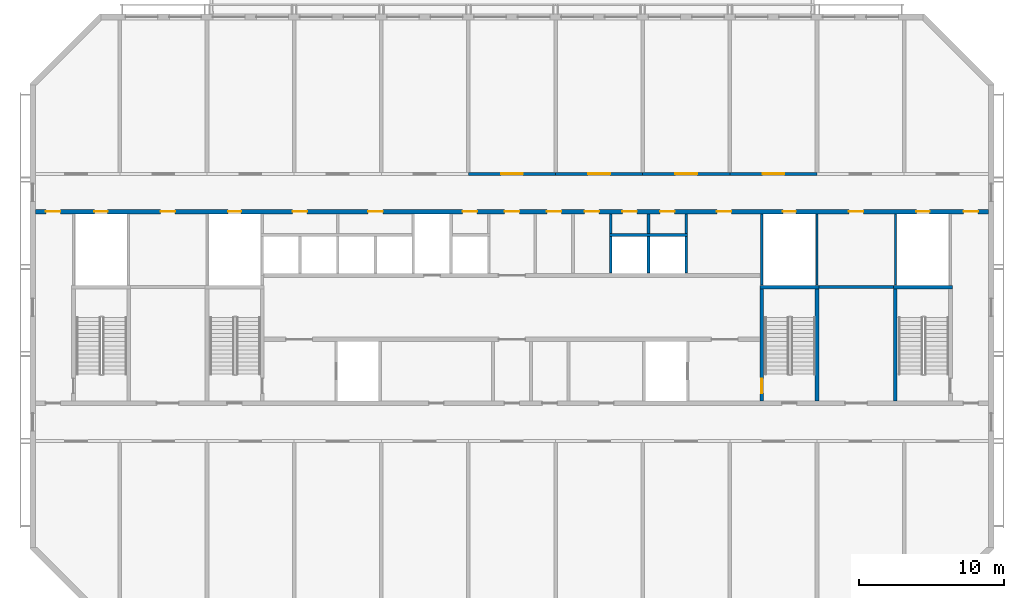
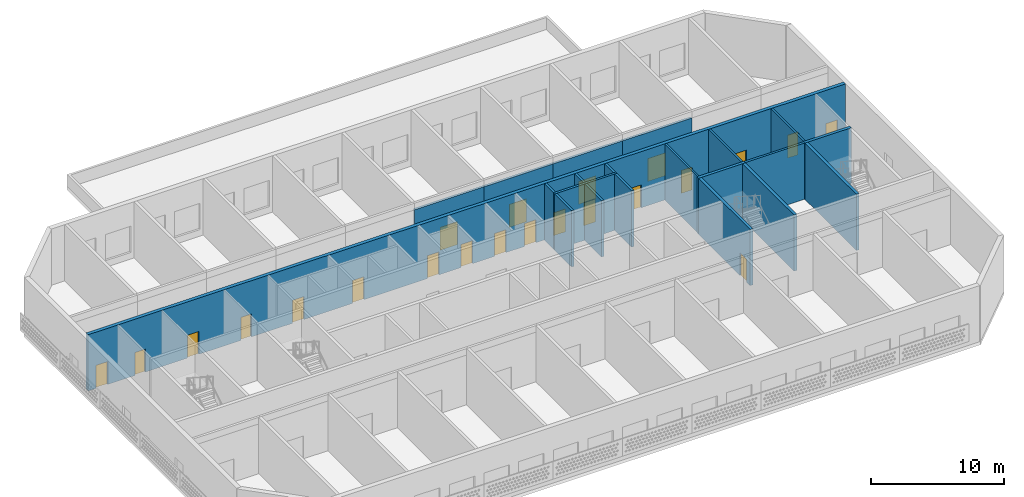
# One storey, part 5 of 18: 22 doors, 21 walls, 22 openings.
"""IFC4 building model written with IfcOpenShell, lengths in metres."""

from ifc_helpers import new_model, si_unit, direction, frame, frame_2d, origin, place, context, subcontext, project, spatial, rectangle, extrude, material, layer, layer_set, type_object, element, fill, save


model = new_model("IFC4")

# Units and contexts
model_context = context("Model", 3, precision=1e-05, world=origin(), true_north=direction((0.0, 1.0)))
body_context = subcontext(model_context, "Body", "Model", "MODEL_VIEW")
ifc_project = project(units=[si_unit("LENGTHUNIT", "METRE"), si_unit("AREAUNIT", "SQUARE_METRE"), si_unit("VOLUMEUNIT", "CUBIC_METRE"), si_unit("PLANEANGLEUNIT", "RADIAN"), si_unit("MASSUNIT", "GRAM", prefix="KILO")], contexts=[model_context])

# Site, building, storey
site_placement = place(None, origin())
site = spatial("IfcSite", under=ifc_project, at=site_placement, CompositionType="ELEMENT")
building_placement = place(site_placement, origin())
building = spatial("IfcBuilding", under=site, at=building_placement, Name="Poui Terraces", CompositionType="ELEMENT")
storey_placement = place(building_placement, frame((0.0, 0.0, 267.0)))
storey = spatial("IfcBuildingStorey", under=building, at=storey_placement, Name="L74", CompositionType="ELEMENT", Elevation=267.0)

# Wall, opening, door
ifc_material_1 = material(Name="Concrete 50 MPa", Category="concrete")
ifc_layer_1 = layer(ifc_material_1, 0.199951171875)
ifc_layer_set_1 = layer_set([ifc_layer_1], Name="Concrete 50 MPa")
wall_type_1 = type_object("IfcWallType", Name="CORRIDOR WALL 200 50MPa", PredefinedType="SHEAR", material=ifc_layer_set_1)
wall_1_placement = place(storey_placement, frame((48.0, 30.39990234375, 0.0), z_axis=(0.0, 0.0, 1.0), x_axis=(1.0, 0.0, 0.0)))
wall_1 = element("IfcWall", 1, at=wall_1_placement, inside=storey, type_object=wall_type_1, Name="CORRIDOR WALL LINE E BAY 6", PredefinedType="SHEAR", context=body_context, shape_type="SweptSolid", body=[
    extrude(rectangle(XDim=6.0, YDim=0.199951171875, at=frame_2d((3.0, 0.0))), origin(), (0.0, 0.0, 1.0), 4.550048828125),
])
opening_1_placement = place(wall_1_placement, frame((2.25, 0.0, 0.0)))
opening_1 = element("IfcOpeningElement", 2, at=opening_1_placement, cuts=wall_1, Name="Opening FDP", PredefinedType="OPENING", context=body_context, shape_type="SweptSolid", body=[
    extrude(rectangle(XDim=1.5, YDim=2.10009765625, at=frame_2d((0.75, 1.050048828125))), frame((0.0, 0.10986328125, 0.0), z_axis=(0.0, -1.0, 0.0), x_axis=(1.0, 0.0, 0.0)), (0.0, 0.0, 1.0), 0.219970703125),
])
ifc_material_2 = material(Name="Steel fire door", Category="steel")
door_type_1 = type_object("IfcDoorType", Name="PLANT ROOM DOOR PAIR 1500 X 2100", OperationType="DOUBLE_DOOR_SINGLE_SWING", PredefinedType="DOOR", material=ifc_material_2)
door_1_placement = place(opening_1_placement, frame((1.5, 0.0, 0.0), z_axis=(0.0, 0.0, 1.0), x_axis=(-1.0, 0.0, 0.0)))
door_1 = element("IfcDoor", 3, at=door_1_placement, inside=storey, type_object=door_type_1, Name="PLANT ROOM DOOR PAIR 014", OperationType="DOUBLE_DOOR_SINGLE_SWING", OverallHeight=2.10009765625, OverallWidth=1.5, PredefinedType="DOOR", context=body_context, shape_type="SweptSolid", body=[
    extrude(rectangle(XDim=1.5, YDim=2.10009765625, at=frame_2d((0.75, 1.050048828125))), frame((0.0, 0.02490234375, 0.0), z_axis=(0.0, -1.0, 0.0), x_axis=(1.0, 0.0, 0.0)), (0.0, 0.0, 1.0), 0.050048828125),
])
fill(opening_1, door_1)

wall_2_placement = place(storey_placement, frame((54.0, 30.39990234375, 0.0), z_axis=(0.0, 0.0, 1.0), x_axis=(1.0, 0.0, 0.0)))
wall_2 = element("IfcWall", 4, at=wall_2_placement, inside=storey, type_object=wall_type_1, Name="CORRIDOR WALL LINE E BAY 7", PredefinedType="SHEAR", context=body_context, shape_type="SweptSolid", body=[
    extrude(rectangle(XDim=6.0, YDim=0.199951171875, at=frame_2d((3.0, 0.0))), origin(), (0.0, 0.0, 1.0), 4.550048828125),
])
opening_2_placement = place(wall_2_placement, frame((2.25, 0.0, 0.0)))
opening_2 = element("IfcOpeningElement", 5, at=opening_2_placement, cuts=wall_2, Name="Opening FDP", PredefinedType="OPENING", context=body_context, shape_type="SweptSolid", body=[
    extrude(rectangle(XDim=1.5, YDim=2.10009765625, at=frame_2d((0.75, 1.050048828125))), frame((0.0, 0.10986328125, 0.0), z_axis=(0.0, -1.0, 0.0), x_axis=(1.0, 0.0, 0.0)), (0.0, 0.0, 1.0), 0.219970703125),
])
door_2_placement = place(opening_2_placement, frame((1.5, 0.0, 0.0), z_axis=(0.0, 0.0, 1.0), x_axis=(-1.0, 0.0, 0.0)))
door_2 = element("IfcDoor", 6, at=door_2_placement, inside=storey, type_object=door_type_1, Name="PLANT ROOM DOOR PAIR 017", OperationType="DOUBLE_DOOR_SINGLE_SWING", OverallHeight=2.10009765625, OverallWidth=1.5, PredefinedType="DOOR", context=body_context, shape_type="SweptSolid", body=[
    extrude(rectangle(XDim=1.5, YDim=2.10009765625, at=frame_2d((0.75, 1.050048828125))), frame((0.0, 0.02490234375, 0.0), z_axis=(0.0, -1.0, 0.0), x_axis=(1.0, 0.0, 0.0)), (0.0, 0.0, 1.0), 0.050048828125),
])
fill(opening_2, door_2)

wall_3_placement = place(storey_placement, frame((60.0, 30.39990234375, 0.0), z_axis=(0.0, 0.0, 1.0), x_axis=(1.0, 0.0, 0.0)))
wall_3 = element("IfcWall", 7, at=wall_3_placement, inside=storey, type_object=wall_type_1, Name="CORRIDOR WALL LINE E BAY 8", PredefinedType="SHEAR", context=body_context, shape_type="SweptSolid", body=[
    extrude(rectangle(XDim=6.0, YDim=0.199951171875, at=frame_2d((3.0, 0.0))), origin(), (0.0, 0.0, 1.0), 4.550048828125),
])
opening_3_placement = place(wall_3_placement, frame((2.25, 0.0, 0.0)))
opening_3 = element("IfcOpeningElement", 8, at=opening_3_placement, cuts=wall_3, Name="Opening FDP", PredefinedType="OPENING", context=body_context, shape_type="SweptSolid", body=[
    extrude(rectangle(XDim=1.5, YDim=2.10009765625, at=frame_2d((0.75, 1.050048828125))), frame((0.0, 0.10986328125, 0.0), z_axis=(0.0, -1.0, 0.0), x_axis=(1.0, 0.0, 0.0)), (0.0, 0.0, 1.0), 0.219970703125),
])
door_3_placement = place(opening_3_placement, frame((1.5, 0.0, 0.0), z_axis=(0.0, 0.0, 1.0), x_axis=(-1.0, 0.0, 0.0)))
door_3 = element("IfcDoor", 9, at=door_3_placement, inside=storey, type_object=door_type_1, Name="PLANT ROOM DOOR PAIR 020", OperationType="DOUBLE_DOOR_SINGLE_SWING", OverallHeight=2.10009765625, OverallWidth=1.5, PredefinedType="DOOR", context=body_context, shape_type="SweptSolid", body=[
    extrude(rectangle(XDim=1.5, YDim=2.10009765625, at=frame_2d((0.75, 1.050048828125))), frame((0.0, 0.02490234375, 0.0), z_axis=(0.0, -1.0, 0.0), x_axis=(1.0, 0.0, 0.0)), (0.0, 0.0, 1.0), 0.050048828125),
])
fill(opening_3, door_3)

wall_4_placement = place(storey_placement, frame((66.0, 30.39990234375, 0.0), z_axis=(0.0, 0.0, 1.0), x_axis=(1.0, 0.0, 0.0)))
wall_4 = element("IfcWall", 10, at=wall_4_placement, inside=storey, type_object=wall_type_1, Name="CORRIDOR WALL LINE E BAY 9", PredefinedType="SHEAR", context=body_context, shape_type="SweptSolid", body=[
    extrude(rectangle(XDim=6.0, YDim=0.199951171875, at=frame_2d((3.0, 0.0))), origin(), (0.0, 0.0, 1.0), 4.550048828125),
])
opening_4_placement = place(wall_4_placement, frame((2.25, 0.0, 0.0)))
opening_4 = element("IfcOpeningElement", 11, at=opening_4_placement, cuts=wall_4, Name="Opening FDP", PredefinedType="OPENING", context=body_context, shape_type="SweptSolid", body=[
    extrude(rectangle(XDim=1.5, YDim=2.10009765625, at=frame_2d((0.75, 1.050048828125))), frame((0.0, 0.10986328125, 0.0), z_axis=(0.0, -1.0, 0.0), x_axis=(1.0, 0.0, 0.0)), (0.0, 0.0, 1.0), 0.219970703125),
])
door_4_placement = place(opening_4_placement, frame((1.5, 0.0, 0.0), z_axis=(0.0, 0.0, 1.0), x_axis=(-1.0, 0.0, 0.0)))
door_4 = element("IfcDoor", 12, at=door_4_placement, inside=storey, type_object=door_type_1, Name="PLANT ROOM DOOR PAIR 022", OperationType="DOUBLE_DOOR_SINGLE_SWING", OverallHeight=2.10009765625, OverallWidth=1.5, PredefinedType="DOOR", context=body_context, shape_type="SweptSolid", body=[
    extrude(rectangle(XDim=1.5, YDim=2.10009765625, at=frame_2d((0.75, 1.050048828125))), frame((0.0, 0.02490234375, 0.0), z_axis=(0.0, -1.0, 0.0), x_axis=(1.0, 0.0, 0.0)), (0.0, 0.0, 1.0), 0.050048828125),
])
fill(opening_4, door_4)

# Walls
ifc_material_3 = material(Name="Fire-rated masonry wall", Category="masonry")
ifc_layer_2 = layer(ifc_material_3, 0.199951171875)
ifc_layer_set_2 = layer_set([ifc_layer_2], Name="Fire-rated masonry wall")
wall_type_2 = type_object("IfcWallType", Name="PLANT ROOM WALL 200", PredefinedType="PARTITIONING", material=ifc_layer_set_2)
wall_5_placement = place(storey_placement, frame((72.135009765625, 22.60009765625, 0.0), z_axis=(0.0, 0.0, 1.0), x_axis=(1.0, 0.0, 0.0)))
element("IfcWall", 13, at=wall_5_placement, inside=storey, type_object=wall_type_2, Name="PLANT ROOM WALL 200", PredefinedType="PARTITIONING", context=body_context, shape_type="SweptSolid", body=[
    extrude(rectangle(XDim=5.1298828125, YDim=0.199951171875, at=frame_2d((2.56494140625, 0.0))), origin(), (0.0, 0.0, 1.0), 5.14990234375),
])
for number, where, z_axis, x_axis, name in (
    (14, (57.800048828125, 26.300048828125, 0.0), (0.0, 0.0, 1.0), (0.0, 1.0, 0.0), "PLANT ROOM WALL 200"),
    (15, (60.39990234375, 26.300048828125, 0.0), (0.0, 0.0, 1.0), (0.0, 1.0, 0.0), "PLANT ROOM WALL 200"),
    (16, (63.0, 26.300048828125, 0.0), (0.0, 0.0, 1.0), (0.0, 1.0, 0.0), "PLANT ROOM WALL 200"),
):
    element("IfcWall", number, at=place(storey_placement, frame(where, z_axis=z_axis, x_axis=x_axis)), inside=storey, type_object=wall_type_2, Name=name, PredefinedType="PARTITIONING", context=body_context, shape_type="SweptSolid", body=[
        extrude(rectangle(XDim=1.33984375, YDim=0.199951171875, at=frame_2d((0.669921875, 0.0))), origin(), (0.0, 0.0, 1.0), 5.14990234375),
    ])
ifc_material_4 = material(Name="Fire-rated plasterboard riser wall")
ifc_layer_3 = layer(ifc_material_4, 0.14990234375)
ifc_layer_set_3 = layer_set([ifc_layer_3], Name="Fire-rated plasterboard riser wall")
wall_type_3 = type_object("IfcWallType", Name="RISER WALL 150", PredefinedType="PARTITIONING", material=ifc_layer_set_3)
for number, where, z_axis, x_axis, name in (
    (17, (68.199951171875, 22.735107421875, 0.0), (0.0, 0.0, 1.0), (0.0, 1.0, 0.0), "RISER WALL 150"),
    (18, (72.0, 22.735107421875, 0.0), (0.0, 0.0, 1.0), (0.0, 1.0, 0.0), "RISER WALL 150"),
    (19, (77.39990234375, 22.735107421875, 0.0), (0.0, 0.0, 1.0), (0.0, 1.0, 0.0), "RISER WALL 150"),
):
    element("IfcWall", number, at=place(storey_placement, frame(where, z_axis=z_axis, x_axis=x_axis)), inside=storey, type_object=wall_type_3, Name=name, PredefinedType="PARTITIONING", context=body_context, shape_type="SweptSolid", body=[
        extrude(rectangle(XDim=4.90478515625, YDim=0.14990234375, at=frame_2d((2.452392578125, 0.0))), origin(), (0.0, 0.0, 1.0), 5.14990234375),
    ])
ifc_material_5 = material(Name="Fire-rated masonry shaft wall", Category="masonry")
ifc_layer_4 = layer(ifc_material_5, 0.199951171875)
ifc_layer_set_4 = layer_set([ifc_layer_4], Name="Fire-rated masonry shaft wall")
wall_type_4 = type_object("IfcWallType", Name="SHAFT WALL 200", PredefinedType="PARTITIONING", material=ifc_layer_set_4)
wall_6_placement = place(storey_placement, frame((57.699951171875, 26.199951171875, 0.0), z_axis=(0.0, 0.0, 1.0), x_axis=(1.0, 0.0, 0.0)))
element("IfcWall", 20, at=wall_6_placement, inside=storey, type_object=wall_type_4, Name="SHAFT WALL 200", PredefinedType="PARTITIONING", context=body_context, shape_type="SweptSolid", body=[
    extrude(rectangle(XDim=5.400146484375, YDim=0.199951171875, at=frame_2d((2.7001953125, 0.0))), origin(), (0.0, 0.0, 1.0), 5.14990234375),
])
for number, where, z_axis, x_axis, name in (
    (21, (57.800048828125, 23.56005859375, 0.0), (0.0, 0.0, 1.0), (0.0, 1.0, 0.0), "SHAFT WALL 200"),
    (22, (60.39990234375, 23.56005859375, 0.0), (0.0, 0.0, 1.0), (0.0, 1.0, 0.0), "SHAFT WALL 200"),
    (23, (63.0, 23.56005859375, 0.0), (0.0, 0.0, 1.0), (0.0, 1.0, 0.0), "SHAFT WALL 200"),
):
    element("IfcWall", number, at=place(storey_placement, frame(where, z_axis=z_axis, x_axis=x_axis)), inside=storey, type_object=wall_type_4, Name=name, PredefinedType="PARTITIONING", context=body_context, shape_type="SweptSolid", body=[
        extrude(rectangle(XDim=2.5400390625, YDim=0.199951171875, at=frame_2d((1.27001953125, 0.0))), origin(), (0.0, 0.0, 1.0), 5.14990234375),
    ])

# Wall, openings, doors
ifc_layer_5 = layer(ifc_material_1, 0.300048828125)
ifc_layer_set_5 = layer_set([ifc_layer_5], Name="Concrete 50 MPa")
wall_type_5 = type_object("IfcWallType", Name="SPINE WALL 300 50 MPA", PredefinedType="SOLIDWALL", material=ifc_layer_set_5)
wall_7_placement = place(storey_placement, frame((18.199951171875, 27.800048828125, 0.0), z_axis=(0.0, 0.0, 1.0), x_axis=(1.0, 0.0, 0.0)))
wall_7 = element("IfcWall", 24, at=wall_7_placement, inside=storey, type_object=wall_type_5, Name="SPINE WALL", PredefinedType="SOLIDWALL", context=body_context, shape_type="SweptSolid", body=[
    extrude(rectangle(XDim=65.60009765625, YDim=0.300048828125, at=frame_2d((32.800048828125, 0.0))), origin(), (0.0, 0.0, 1.0), 5.14990234375),
])
opening_5_placement = place(wall_7_placement, frame((0.699951171875, 0.0, 0.0)))
opening_5 = element("IfcOpeningElement", 25, at=opening_5_placement, cuts=wall_7, Name="Opening FDL", PredefinedType="OPENING", context=body_context, shape_type="SweptSolid", body=[
    extrude(rectangle(XDim=1.0, YDim=2.10009765625, at=frame_2d((0.5, 1.050048828125))), frame((0.0, 0.16015625, 0.0), z_axis=(0.0, -1.0, 0.0), x_axis=(1.0, 0.0, 0.0)), (0.0, 0.0, 1.0), 0.320068359375),
])
opening_6_placement = place(wall_7_placement, frame((4.050048828125, 0.0, 0.0)))
opening_6 = element("IfcOpeningElement", 26, at=opening_6_placement, cuts=wall_7, Name="Opening FDR", PredefinedType="OPENING", context=body_context, shape_type="SweptSolid", body=[
    extrude(rectangle(XDim=0.89990234375, YDim=2.10009765625, at=frame_2d((0.449951171875, 1.050048828125))), frame((0.0, 0.16015625, 0.0), z_axis=(0.0, -1.0, 0.0), x_axis=(1.0, 0.0, 0.0)), (0.0, 0.0, 1.0), 0.320068359375),
])
opening_7_placement = place(wall_7_placement, frame((8.60009765625, 0.0, 0.0)))
opening_7 = element("IfcOpeningElement", 27, at=opening_7_placement, cuts=wall_7, Name="Opening FD60", PredefinedType="OPENING", context=body_context, shape_type="SweptSolid", body=[
    extrude(rectangle(XDim=1.0, YDim=2.10009765625, at=frame_2d((0.5, 1.050048828125))), frame((0.0, 0.16015625, 0.0), z_axis=(0.0, -1.0, 0.0), x_axis=(1.0, 0.0, 0.0)), (0.0, 0.0, 1.0), 0.320068359375),
])
opening_8_placement = place(wall_7_placement, frame((13.25, 0.0, 0.0)))
opening_8 = element("IfcOpeningElement", 28, at=opening_8_placement, cuts=wall_7, Name="Opening FDR", PredefinedType="OPENING", context=body_context, shape_type="SweptSolid", body=[
    extrude(rectangle(XDim=0.89990234375, YDim=2.10009765625, at=frame_2d((0.449951171875, 1.050048828125))), frame((0.0, 0.16015625, 0.0), z_axis=(0.0, -1.0, 0.0), x_axis=(1.0, 0.0, 0.0)), (0.0, 0.0, 1.0), 0.320068359375),
])
opening_9_placement = place(wall_7_placement, frame((17.699951171875, 0.0, 0.0)))
opening_9 = element("IfcOpeningElement", 29, at=opening_9_placement, cuts=wall_7, Name="Opening FD60", PredefinedType="OPENING", context=body_context, shape_type="SweptSolid", body=[
    extrude(rectangle(XDim=1.0, YDim=2.10009765625, at=frame_2d((0.5, 1.050048828125))), frame((0.0, 0.16015625, 0.0), z_axis=(0.0, -1.0, 0.0), x_axis=(1.0, 0.0, 0.0)), (0.0, 0.0, 1.0), 0.320068359375),
])
opening_10_placement = place(wall_7_placement, frame((22.89990234375, 0.0, 0.0)))
opening_10 = element("IfcOpeningElement", 30, at=opening_10_placement, cuts=wall_7, Name="Opening FD60", PredefinedType="OPENING", context=body_context, shape_type="SweptSolid", body=[
    extrude(rectangle(XDim=1.0, YDim=2.10009765625, at=frame_2d((0.5, 1.050048828125))), frame((0.0, 0.16015625, 0.0), z_axis=(0.0, -1.0, 0.0), x_axis=(1.0, 0.0, 0.0)), (0.0, 0.0, 1.0), 0.320068359375),
])
opening_11_placement = place(wall_7_placement, frame((29.39990234375, 0.0, 0.0)))
opening_11 = element("IfcOpeningElement", 31, at=opening_11_placement, cuts=wall_7, Name="Opening FD60", PredefinedType="OPENING", context=body_context, shape_type="SweptSolid", body=[
    extrude(rectangle(XDim=1.0, YDim=2.10009765625, at=frame_2d((0.5, 1.050048828125))), frame((0.0, 0.16015625, 0.0), z_axis=(0.0, -1.0, 0.0), x_axis=(1.0, 0.0, 0.0)), (0.0, 0.0, 1.0), 0.320068359375),
])
opening_12_placement = place(wall_7_placement, frame((32.300048828125, 0.0, 0.0)))
opening_12 = element("IfcOpeningElement", 32, at=opening_12_placement, cuts=wall_7, Name="Opening FDL", PredefinedType="OPENING", context=body_context, shape_type="SweptSolid", body=[
    extrude(rectangle(XDim=1.0, YDim=2.10009765625, at=frame_2d((0.5, 1.050048828125))), frame((0.0, 0.16015625, 0.0), z_axis=(0.0, -1.0, 0.0), x_axis=(1.0, 0.0, 0.0)), (0.0, 0.0, 1.0), 0.320068359375),
])
opening_13_placement = place(wall_7_placement, frame((35.199951171875, 0.0, 0.0)))
opening_13 = element("IfcOpeningElement", 33, at=opening_13_placement, cuts=wall_7, Name="Opening FD60", PredefinedType="OPENING", context=body_context, shape_type="SweptSolid", body=[
    extrude(rectangle(XDim=1.0, YDim=2.10009765625, at=frame_2d((0.5, 1.050048828125))), frame((0.0, 0.16015625, 0.0), z_axis=(0.0, -1.0, 0.0), x_axis=(1.0, 0.0, 0.0)), (0.0, 0.0, 1.0), 0.320068359375),
])
opening_14_placement = place(wall_7_placement, frame((37.800048828125, 0.0, 0.0)))
opening_14 = element("IfcOpeningElement", 34, at=opening_14_placement, cuts=wall_7, Name="Opening FD60", PredefinedType="OPENING", context=body_context, shape_type="SweptSolid", body=[
    extrude(rectangle(XDim=1.0, YDim=2.10009765625, at=frame_2d((0.5, 1.050048828125))), frame((0.0, 0.16015625, 0.0), z_axis=(0.0, -1.0, 0.0), x_axis=(1.0, 0.0, 0.0)), (0.0, 0.0, 1.0), 0.320068359375),
])
opening_15_placement = place(wall_7_placement, frame((40.39990234375, 0.0, 0.0)))
opening_15 = element("IfcOpeningElement", 35, at=opening_15_placement, cuts=wall_7, Name="Opening FD60", PredefinedType="OPENING", context=body_context, shape_type="SweptSolid", body=[
    extrude(rectangle(XDim=1.0, YDim=2.10009765625, at=frame_2d((0.5, 1.050048828125))), frame((0.0, 0.16015625, 0.0), z_axis=(0.0, -1.0, 0.0), x_axis=(1.0, 0.0, 0.0)), (0.0, 0.0, 1.0), 0.320068359375),
])
opening_16_placement = place(wall_7_placement, frame((43.0, 0.0, 0.0)))
opening_16 = element("IfcOpeningElement", 36, at=opening_16_placement, cuts=wall_7, Name="Opening FD60", PredefinedType="OPENING", context=body_context, shape_type="SweptSolid", body=[
    extrude(rectangle(XDim=1.0, YDim=2.10009765625, at=frame_2d((0.5, 1.050048828125))), frame((0.0, 0.16015625, 0.0), z_axis=(0.0, -1.0, 0.0), x_axis=(1.0, 0.0, 0.0)), (0.0, 0.0, 1.0), 0.320068359375),
])
opening_17_placement = place(wall_7_placement, frame((46.89990234375, 0.0, 0.0)))
opening_17 = element("IfcOpeningElement", 37, at=opening_17_placement, cuts=wall_7, Name="Opening FD60", PredefinedType="OPENING", context=body_context, shape_type="SweptSolid", body=[
    extrude(rectangle(XDim=1.0, YDim=2.10009765625, at=frame_2d((0.5, 1.050048828125))), frame((0.0, 0.16015625, 0.0), z_axis=(0.0, -1.0, 0.0), x_axis=(1.0, 0.0, 0.0)), (0.0, 0.0, 1.0), 0.320068359375),
])
opening_18_placement = place(wall_7_placement, frame((51.449951171875, 0.0, 0.0)))
opening_18 = element("IfcOpeningElement", 38, at=opening_18_placement, cuts=wall_7, Name="Opening FDR", PredefinedType="OPENING", context=body_context, shape_type="SweptSolid", body=[
    extrude(rectangle(XDim=0.89990234375, YDim=2.10009765625, at=frame_2d((0.449951171875, 1.050048828125))), frame((0.0, 0.16015625, 0.0), z_axis=(0.0, -1.0, 0.0), x_axis=(1.0, 0.0, 0.0)), (0.0, 0.0, 1.0), 0.320068359375),
])
opening_19_placement = place(wall_7_placement, frame((56.0, 0.0, 0.0)))
opening_19 = element("IfcOpeningElement", 39, at=opening_19_placement, cuts=wall_7, Name="Opening FD60", PredefinedType="OPENING", context=body_context, shape_type="SweptSolid", body=[
    extrude(rectangle(XDim=1.0, YDim=2.10009765625, at=frame_2d((0.5, 1.050048828125))), frame((0.0, 0.16015625, 0.0), z_axis=(0.0, -1.0, 0.0), x_axis=(1.0, 0.0, 0.0)), (0.0, 0.0, 1.0), 0.320068359375),
])
opening_20_placement = place(wall_7_placement, frame((60.64990234375, 0.0, 0.0)))
opening_20 = element("IfcOpeningElement", 40, at=opening_20_placement, cuts=wall_7, Name="Opening FDR", PredefinedType="OPENING", context=body_context, shape_type="SweptSolid", body=[
    extrude(rectangle(XDim=0.89990234375, YDim=2.10009765625, at=frame_2d((0.449951171875, 1.050048828125))), frame((0.0, 0.16015625, 0.0), z_axis=(0.0, -1.0, 0.0), x_axis=(1.0, 0.0, 0.0)), (0.0, 0.0, 1.0), 0.320068359375),
])
opening_21_placement = place(wall_7_placement, frame((63.89990234375, 0.0, 0.0)))
opening_21 = element("IfcOpeningElement", 41, at=opening_21_placement, cuts=wall_7, Name="Opening FDL", PredefinedType="OPENING", context=body_context, shape_type="SweptSolid", body=[
    extrude(rectangle(XDim=1.0, YDim=2.10009765625, at=frame_2d((0.5, 1.050048828125))), frame((0.0, 0.16015625, 0.0), z_axis=(0.0, -1.0, 0.0), x_axis=(1.0, 0.0, 0.0)), (0.0, 0.0, 1.0), 0.320068359375),
])
door_type_2 = type_object("IfcDoorType", Name="LOBBY FIRE DOOR 1000 X 2100", OperationType="NOTDEFINED", PredefinedType="DOOR", material=ifc_material_2)
door_5_placement = place(opening_5_placement, origin())
door_5 = element("IfcDoor", 42, at=door_5_placement, inside=storey, type_object=door_type_2, Name="LOBBY FIRE DOOR 001", OperationType="SINGLE_SWING_LEFT", OverallHeight=2.10009765625, OverallWidth=1.0, PredefinedType="DOOR", context=body_context, shape_type="SweptSolid", body=[
    extrude(rectangle(XDim=1.0, YDim=2.10009765625, at=frame_2d((0.5, 1.050048828125))), frame((0.0, 0.02490234375, 0.0), z_axis=(0.0, -1.0, 0.0), x_axis=(1.0, 0.0, 0.0)), (0.0, 0.0, 1.0), 0.050048828125),
])
fill(opening_5, door_5)
door_6_placement = place(opening_12_placement, origin())
door_6 = element("IfcDoor", 43, at=door_6_placement, inside=storey, type_object=door_type_2, Name="LOBBY FIRE DOOR 013", OperationType="SINGLE_SWING_RIGHT", OverallHeight=2.10009765625, OverallWidth=1.0, PredefinedType="DOOR", context=body_context, shape_type="SweptSolid", body=[
    extrude(rectangle(XDim=1.0, YDim=2.10009765625, at=frame_2d((0.5, 1.050048828125))), frame((0.0, 0.02490234375, 0.0), z_axis=(0.0, -1.0, 0.0), x_axis=(1.0, 0.0, 0.0)), (0.0, 0.0, 1.0), 0.050048828125),
])
fill(opening_12, door_6)
door_7_placement = place(opening_21_placement, origin())
door_7 = element("IfcDoor", 44, at=door_7_placement, inside=storey, type_object=door_type_2, Name="LOBBY FIRE DOOR 028", OperationType="SINGLE_SWING_RIGHT", OverallHeight=2.10009765625, OverallWidth=1.0, PredefinedType="DOOR", context=body_context, shape_type="SweptSolid", body=[
    extrude(rectangle(XDim=1.0, YDim=2.10009765625, at=frame_2d((0.5, 1.050048828125))), frame((0.0, 0.02490234375, 0.0), z_axis=(0.0, -1.0, 0.0), x_axis=(1.0, 0.0, 0.0)), (0.0, 0.0, 1.0), 0.050048828125),
])
fill(opening_21, door_7)
door_type_3 = type_object("IfcDoorType", Name="RISER CUPBOARD DOOR 900 X 2100", OperationType="NOTDEFINED", PredefinedType="DOOR", material=ifc_material_2)
door_8_placement = place(opening_6_placement, origin())
door_8 = element("IfcDoor", 45, at=door_8_placement, inside=storey, type_object=door_type_3, Name="RISER CUPBOARD DOOR 003", OperationType="SINGLE_SWING_LEFT", OverallHeight=2.10009765625, OverallWidth=0.89990234375, PredefinedType="DOOR", context=body_context, shape_type="SweptSolid", body=[
    extrude(rectangle(XDim=0.89990234375, YDim=2.10009765625, at=frame_2d((0.449951171875, 1.050048828125))), frame((0.0, 0.02490234375, 0.0), z_axis=(0.0, -1.0, 0.0), x_axis=(1.0, 0.0, 0.0)), (0.0, 0.0, 1.0), 0.050048828125),
])
fill(opening_6, door_8)
door_9_placement = place(opening_8_placement, origin())
door_9 = element("IfcDoor", 46, at=door_9_placement, inside=storey, type_object=door_type_3, Name="RISER CUPBOARD DOOR 006", OperationType="SINGLE_SWING_LEFT", OverallHeight=2.10009765625, OverallWidth=0.89990234375, PredefinedType="DOOR", context=body_context, shape_type="SweptSolid", body=[
    extrude(rectangle(XDim=0.89990234375, YDim=2.10009765625, at=frame_2d((0.449951171875, 1.050048828125))), frame((0.0, 0.02490234375, 0.0), z_axis=(0.0, -1.0, 0.0), x_axis=(1.0, 0.0, 0.0)), (0.0, 0.0, 1.0), 0.050048828125),
])
fill(opening_8, door_9)
door_10_placement = place(opening_18_placement, origin())
door_10 = element("IfcDoor", 47, at=door_10_placement, inside=storey, type_object=door_type_3, Name="RISER CUPBOARD DOOR 023", OperationType="SINGLE_SWING_RIGHT", OverallHeight=2.10009765625, OverallWidth=0.89990234375, PredefinedType="DOOR", context=body_context, shape_type="SweptSolid", body=[
    extrude(rectangle(XDim=0.89990234375, YDim=2.10009765625, at=frame_2d((0.449951171875, 1.050048828125))), frame((0.0, 0.02490234375, 0.0), z_axis=(0.0, -1.0, 0.0), x_axis=(1.0, 0.0, 0.0)), (0.0, 0.0, 1.0), 0.050048828125),
])
fill(opening_18, door_10)
door_11_placement = place(opening_20_placement, origin())
door_11 = element("IfcDoor", 48, at=door_11_placement, inside=storey, type_object=door_type_3, Name="RISER CUPBOARD DOOR 026", OperationType="SINGLE_SWING_RIGHT", OverallHeight=2.10009765625, OverallWidth=0.89990234375, PredefinedType="DOOR", context=body_context, shape_type="SweptSolid", body=[
    extrude(rectangle(XDim=0.89990234375, YDim=2.10009765625, at=frame_2d((0.449951171875, 1.050048828125))), frame((0.0, 0.02490234375, 0.0), z_axis=(0.0, -1.0, 0.0), x_axis=(1.0, 0.0, 0.0)), (0.0, 0.0, 1.0), 0.050048828125),
])
fill(opening_20, door_11)
door_type_4 = type_object("IfcDoorType", Name="SERVICE ROOM FIRE DOOR 1000 X 2100", OperationType="NOTDEFINED", PredefinedType="DOOR", material=ifc_material_2)
door_12_placement = place(opening_7_placement, origin())
door_12 = element("IfcDoor", 49, at=door_12_placement, inside=storey, type_object=door_type_4, Name="SERVICE ROOM FIRE DOOR 005", OperationType="SINGLE_SWING_LEFT", OverallHeight=2.10009765625, OverallWidth=1.0, PredefinedType="DOOR", context=body_context, shape_type="SweptSolid", body=[
    extrude(rectangle(XDim=1.0, YDim=2.10009765625, at=frame_2d((0.5, 1.050048828125))), frame((0.0, 0.02490234375, 0.0), z_axis=(0.0, -1.0, 0.0), x_axis=(1.0, 0.0, 0.0)), (0.0, 0.0, 1.0), 0.050048828125),
])
fill(opening_7, door_12)
door_13_placement = place(opening_9_placement, origin())
door_13 = element("IfcDoor", 50, at=door_13_placement, inside=storey, type_object=door_type_4, Name="SERVICE ROOM FIRE DOOR 008", OperationType="SINGLE_SWING_RIGHT", OverallHeight=2.10009765625, OverallWidth=1.0, PredefinedType="DOOR", context=body_context, shape_type="SweptSolid", body=[
    extrude(rectangle(XDim=1.0, YDim=2.10009765625, at=frame_2d((0.5, 1.050048828125))), frame((0.0, 0.02490234375, 0.0), z_axis=(0.0, -1.0, 0.0), x_axis=(1.0, 0.0, 0.0)), (0.0, 0.0, 1.0), 0.050048828125),
])
fill(opening_9, door_13)
door_14_placement = place(opening_10_placement, origin())
door_14 = element("IfcDoor", 51, at=door_14_placement, inside=storey, type_object=door_type_4, Name="SERVICE ROOM FIRE DOOR 010", OperationType="SINGLE_SWING_LEFT", OverallHeight=2.10009765625, OverallWidth=1.0, PredefinedType="DOOR", context=body_context, shape_type="SweptSolid", body=[
    extrude(rectangle(XDim=1.0, YDim=2.10009765625, at=frame_2d((0.5, 1.050048828125))), frame((0.0, 0.02490234375, 0.0), z_axis=(0.0, -1.0, 0.0), x_axis=(1.0, 0.0, 0.0)), (0.0, 0.0, 1.0), 0.050048828125),
])
fill(opening_10, door_14)
door_15_placement = place(opening_11_placement, origin())
door_15 = element("IfcDoor", 52, at=door_15_placement, inside=storey, type_object=door_type_4, Name="SERVICE ROOM FIRE DOOR 012", OperationType="SINGLE_SWING_RIGHT", OverallHeight=2.10009765625, OverallWidth=1.0, PredefinedType="DOOR", context=body_context, shape_type="SweptSolid", body=[
    extrude(rectangle(XDim=1.0, YDim=2.10009765625, at=frame_2d((0.5, 1.050048828125))), frame((0.0, 0.02490234375, 0.0), z_axis=(0.0, -1.0, 0.0), x_axis=(1.0, 0.0, 0.0)), (0.0, 0.0, 1.0), 0.050048828125),
])
fill(opening_11, door_15)
door_16_placement = place(opening_13_placement, origin())
door_16 = element("IfcDoor", 53, at=door_16_placement, inside=storey, type_object=door_type_4, Name="SERVICE ROOM FIRE DOOR 015", OperationType="SINGLE_SWING_LEFT", OverallHeight=2.10009765625, OverallWidth=1.0, PredefinedType="DOOR", context=body_context, shape_type="SweptSolid", body=[
    extrude(rectangle(XDim=1.0, YDim=2.10009765625, at=frame_2d((0.5, 1.050048828125))), frame((0.0, 0.02490234375, 0.0), z_axis=(0.0, -1.0, 0.0), x_axis=(1.0, 0.0, 0.0)), (0.0, 0.0, 1.0), 0.050048828125),
])
fill(opening_13, door_16)
door_17_placement = place(opening_14_placement, origin())
door_17 = element("IfcDoor", 54, at=door_17_placement, inside=storey, type_object=door_type_4, Name="SERVICE ROOM FIRE DOOR 016", OperationType="SINGLE_SWING_RIGHT", OverallHeight=2.10009765625, OverallWidth=1.0, PredefinedType="DOOR", context=body_context, shape_type="SweptSolid", body=[
    extrude(rectangle(XDim=1.0, YDim=2.10009765625, at=frame_2d((0.5, 1.050048828125))), frame((0.0, 0.02490234375, 0.0), z_axis=(0.0, -1.0, 0.0), x_axis=(1.0, 0.0, 0.0)), (0.0, 0.0, 1.0), 0.050048828125),
])
fill(opening_14, door_17)
door_18_placement = place(opening_15_placement, origin())
door_18 = element("IfcDoor", 55, at=door_18_placement, inside=storey, type_object=door_type_4, Name="SERVICE ROOM FIRE DOOR 018", OperationType="SINGLE_SWING_LEFT", OverallHeight=2.10009765625, OverallWidth=1.0, PredefinedType="DOOR", context=body_context, shape_type="SweptSolid", body=[
    extrude(rectangle(XDim=1.0, YDim=2.10009765625, at=frame_2d((0.5, 1.050048828125))), frame((0.0, 0.02490234375, 0.0), z_axis=(0.0, -1.0, 0.0), x_axis=(1.0, 0.0, 0.0)), (0.0, 0.0, 1.0), 0.050048828125),
])
fill(opening_15, door_18)
door_19_placement = place(opening_16_placement, origin())
door_19 = element("IfcDoor", 56, at=door_19_placement, inside=storey, type_object=door_type_4, Name="SERVICE ROOM FIRE DOOR 019", OperationType="SINGLE_SWING_RIGHT", OverallHeight=2.10009765625, OverallWidth=1.0, PredefinedType="DOOR", context=body_context, shape_type="SweptSolid", body=[
    extrude(rectangle(XDim=1.0, YDim=2.10009765625, at=frame_2d((0.5, 1.050048828125))), frame((0.0, 0.02490234375, 0.0), z_axis=(0.0, -1.0, 0.0), x_axis=(1.0, 0.0, 0.0)), (0.0, 0.0, 1.0), 0.050048828125),
])
fill(opening_16, door_19)
door_20_placement = place(opening_17_placement, origin())
door_20 = element("IfcDoor", 57, at=door_20_placement, inside=storey, type_object=door_type_4, Name="SERVICE ROOM FIRE DOOR 021", OperationType="SINGLE_SWING_LEFT", OverallHeight=2.10009765625, OverallWidth=1.0, PredefinedType="DOOR", context=body_context, shape_type="SweptSolid", body=[
    extrude(rectangle(XDim=1.0, YDim=2.10009765625, at=frame_2d((0.5, 1.050048828125))), frame((0.0, 0.02490234375, 0.0), z_axis=(0.0, -1.0, 0.0), x_axis=(1.0, 0.0, 0.0)), (0.0, 0.0, 1.0), 0.050048828125),
])
fill(opening_17, door_20)
door_21_placement = place(opening_19_placement, origin())
door_21 = element("IfcDoor", 58, at=door_21_placement, inside=storey, type_object=door_type_4, Name="SERVICE ROOM FIRE DOOR 024", OperationType="SINGLE_SWING_LEFT", OverallHeight=2.10009765625, OverallWidth=1.0, PredefinedType="DOOR", context=body_context, shape_type="SweptSolid", body=[
    extrude(rectangle(XDim=1.0, YDim=2.10009765625, at=frame_2d((0.5, 1.050048828125))), frame((0.0, 0.02490234375, 0.0), z_axis=(0.0, -1.0, 0.0), x_axis=(1.0, 0.0, 0.0)), (0.0, 0.0, 1.0), 0.050048828125),
])
fill(opening_19, door_21)

# Wall, opening, door
ifc_layer_6 = layer(ifc_material_1, 0.25)
ifc_layer_set_6 = layer_set([ifc_layer_6], Name="Concrete 50 MPa")
wall_type_6 = type_object("IfcWallType", Name="STAIR CORE WALL 250 50 MPA", PredefinedType="SOLIDWALL", material=ifc_layer_set_6)
wall_8_placement = place(storey_placement, frame((68.199951171875, 14.75, 0.0), z_axis=(0.0, 0.0, 1.0), x_axis=(0.0, 1.0, 0.0)))
wall_8 = element("IfcWall", 59, at=wall_8_placement, inside=storey, type_object=wall_type_6, Name="STAIR CORE WALL", PredefinedType="SOLIDWALL", context=body_context, shape_type="SweptSolid", body=[
    extrude(rectangle(XDim=7.72509765625, YDim=0.25, at=frame_2d((3.862548828125, 0.0))), origin(), (0.0, 0.0, 1.0), 5.14990234375),
])
opening_22_placement = place(wall_8_placement, frame((0.550048828125, 0.0, 0.0)))
opening_22 = element("IfcOpeningElement", 60, at=opening_22_placement, cuts=wall_8, Name="Opening FD60S", PredefinedType="OPENING", context=body_context, shape_type="SweptSolid", body=[
    extrude(rectangle(XDim=1.0, YDim=2.10009765625, at=frame_2d((0.5, 1.050048828125))), frame((0.0, 0.135009765625, 0.0), z_axis=(0.0, -1.0, 0.0), x_axis=(1.0, 0.0, 0.0)), (0.0, 0.0, 1.0), 0.27001953125),
])
door_type_5 = type_object("IfcDoorType", Name="STAIR DOOR 1000 X 2100", OperationType="NOTDEFINED", PredefinedType="DOOR", material=ifc_material_2)
door_22_placement = place(opening_22_placement, frame((1.0, 0.0, 0.0), z_axis=(0.0, 0.0, 1.0), x_axis=(-1.0, 0.0, 0.0)))
door_22 = element("IfcDoor", 61, at=door_22_placement, inside=storey, type_object=door_type_5, Name="STAIR DOOR 051", OperationType="SINGLE_SWING_LEFT", OverallHeight=2.10009765625, OverallWidth=1.0, PredefinedType="DOOR", context=body_context, shape_type="SweptSolid", body=[
    extrude(rectangle(XDim=1.0, YDim=2.10009765625, at=frame_2d((0.5, 1.050048828125))), frame((0.0, 0.02490234375, 0.0), z_axis=(0.0, -1.0, 0.0), x_axis=(1.0, 0.0, 0.0)), (0.0, 0.0, 1.0), 0.050048828125),
])
fill(opening_22, door_22)

# Walls
wall_9_placement = place(storey_placement, frame((72.0, 14.75, 0.0), z_axis=(0.0, 0.0, 1.0), x_axis=(0.0, 1.0, 0.0)))
element("IfcWall", 62, at=wall_9_placement, inside=storey, type_object=wall_type_6, Name="STAIR CORE WALL", PredefinedType="SOLIDWALL", context=body_context, shape_type="SweptSolid", body=[
    extrude(rectangle(XDim=7.72509765625, YDim=0.25, at=frame_2d((3.862548828125, 0.0))), origin(), (0.0, 0.0, 1.0), 5.14990234375),
])
wall_10_placement = place(storey_placement, frame((68.074951171875, 22.60009765625, 0.0), z_axis=(0.0, 0.0, 1.0), x_axis=(1.0, 0.0, 0.0)))
element("IfcWall", 63, at=wall_10_placement, inside=storey, type_object=wall_type_6, Name="STAIR CORE WALL", PredefinedType="SOLIDWALL", context=body_context, shape_type="SweptSolid", body=[
    extrude(rectangle(XDim=4.050048828125, YDim=0.25, at=frame_2d((2.02490234375, 0.0))), origin(), (0.0, 0.0, 1.0), 5.14990234375),
])
wall_11_placement = place(storey_placement, frame((77.39990234375, 14.75, 0.0), z_axis=(0.0, 0.0, 1.0), x_axis=(0.0, 1.0, 0.0)))
element("IfcWall", 64, at=wall_11_placement, inside=storey, type_object=wall_type_6, Name="STAIR CORE WALL", PredefinedType="SOLIDWALL", context=body_context, shape_type="SweptSolid", body=[
    extrude(rectangle(XDim=7.72509765625, YDim=0.25, at=frame_2d((3.862548828125, 0.0))), origin(), (0.0, 0.0, 1.0), 5.14990234375),
])
wall_12_placement = place(storey_placement, frame((77.27490234375, 22.60009765625, 0.0), z_axis=(0.0, 0.0, 1.0), x_axis=(1.0, 0.0, 0.0)))
element("IfcWall", 65, at=wall_12_placement, inside=storey, type_object=wall_type_6, Name="STAIR CORE WALL", PredefinedType="SOLIDWALL", context=body_context, shape_type="SweptSolid", body=[
    extrude(rectangle(XDim=4.050048828125, YDim=0.25, at=frame_2d((2.02490234375, 0.0))), origin(), (0.0, 0.0, 1.0), 5.14990234375),
])

save(model, "model.ifc")
